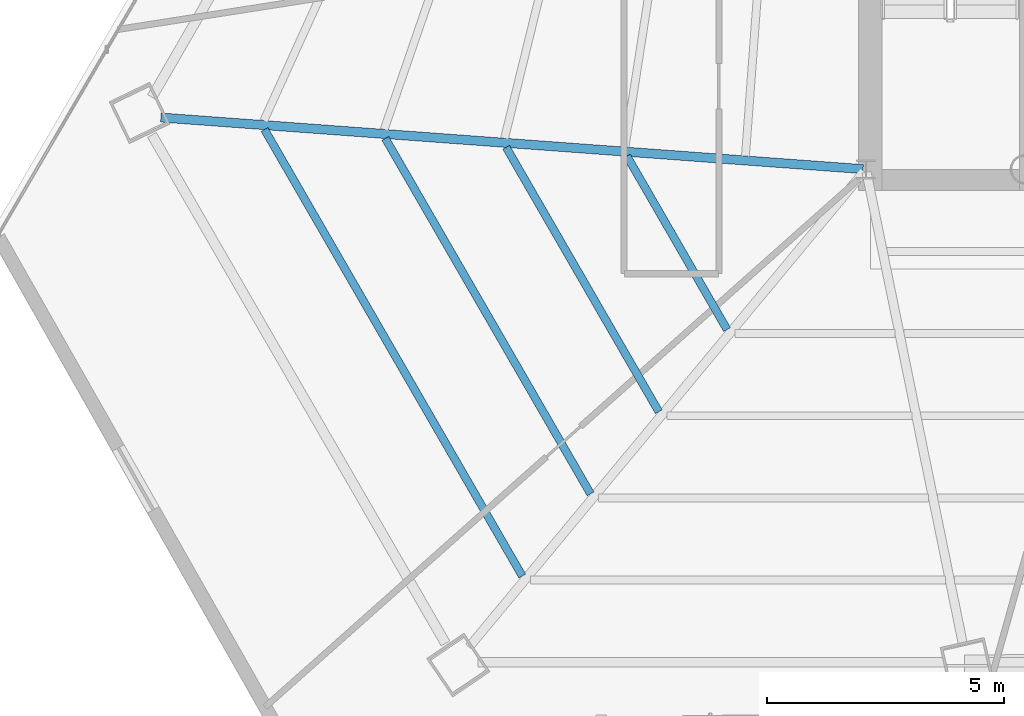
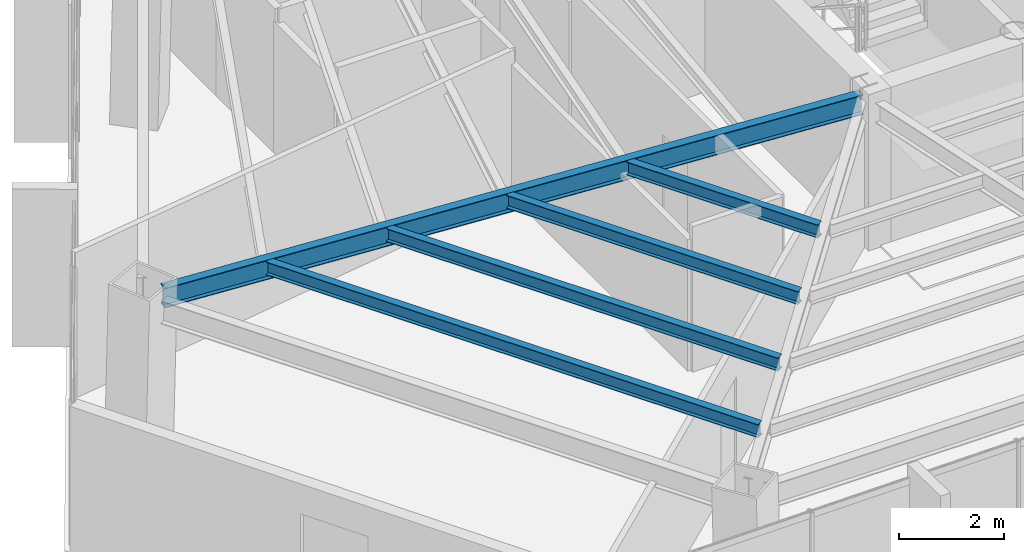
# One storey, part 7 of 41: 5 beams.
"""IFC4 building model written with IfcOpenShell, lengths in metres."""

from ifc_helpers import new_model, si_unit, direction, frame, origin, origin_2d, place, context, subcontext, project, spatial, i_section, extrude, source, transform, mapped, material, material_profile, profile_set, type_object, type_shapes, element, save


model = new_model("IFC4")

# Units and contexts
model_context = context("Model", 3, precision=1e-05, world=origin(), true_north=direction((0.0, 1.0)))
body_context = subcontext(model_context, "Body", "Model", "MODEL_VIEW")
ifc_project = project(units=[si_unit("LENGTHUNIT", "METRE"), si_unit("AREAUNIT", "SQUARE_METRE"), si_unit("VOLUMEUNIT", "CUBIC_METRE"), si_unit("PLANEANGLEUNIT", "RADIAN"), si_unit("MASSUNIT", "GRAM", prefix="KILO")], contexts=[model_context])

# Site, building, storey
site_placement = place(None, origin())
site = spatial("IfcSite", under=ifc_project, at=site_placement, CompositionType="ELEMENT")
building_placement = place(site_placement, origin())
building = spatial("IfcBuilding", under=site, at=building_placement, Name="Caelisora Broadcast Tower", CompositionType="ELEMENT")
storey_placement = place(building_placement, frame((0.0, 0.0, 135.449951171875)))
storey = spatial("IfcBuildingStorey", under=building, at=storey_placement, Name="L35", CompositionType="ELEMENT", Elevation=135.449951171875)

# Beams
ifc_material = material(Name="Steel Grade 350 (AS/NZS 3679.1)", Category="steel")
ifc_material_profile_1 = material_profile(ifc_material, i_section(OverallWidth=0.19091796875, OverallDepth=0.46044921875, WebThickness=0.010009765625, FlangeThickness=0.01611328125, at=origin_2d()), Name="Steel Grade 350 (AS/NZS 3679.1)")
ifc_profile_set_1 = profile_set([ifc_material_profile_1], Name="Steel Grade 350 (AS/NZS 3679.1)")
beam_type_1 = type_object("IfcBeamType", Name="PG06", PredefinedType="BEAM", material=ifc_profile_set_1)
shared_shape_1 = source(origin(), body_context, "Body", "SweptSolid", [
    extrude(i_section(OverallWidth=0.19091796875, OverallDepth=0.46044921875, WebThickness=0.010009765625, FlangeThickness=0.01611328125, at=origin_2d()), origin(), (0.0, 0.0, 1.0), 14.843505859375),
])
type_shapes(beam_type_1, [shared_shape_1])
beam_1_placement = place(storey_placement, frame((30.440185546875, 17.404296875, 3.169921875), z_axis=(-0.997309376272, 0.073307625794, 0.0), x_axis=(-0.073307625794, -0.997309376272, 0.0)))
element("IfcBeam", 1, at=beam_1_placement, inside=storey, type_object=beam_type_1, Name="L35 beam PG06", PredefinedType="BEAM", context=body_context, shape_type="MappedRepresentation", body=[
    mapped(shared_shape_1, transform((0.0, 0.0, 0.0), scale=1.0)),
])
ifc_material_profile_2 = material_profile(ifc_material, i_section(OverallWidth=0.166015625, OverallDepth=0.30712890625, WebThickness=0.006591796875, FlangeThickness=0.01171875, at=origin_2d()), Name="Steel Grade 350 (AS/NZS 3679.1)")
ifc_profile_set_2 = profile_set([ifc_material_profile_2], Name="Steel Grade 350 (AS/NZS 3679.1)")
beam_type_2 = type_object("IfcBeamType", Name="SB03", PredefinedType="JOIST", material=ifc_profile_set_2)
shared_shape_2 = source(origin(), body_context, "Body", "SweptSolid", [
    extrude(i_section(OverallWidth=0.166015625, OverallDepth=0.30712890625, WebThickness=0.006591796875, FlangeThickness=0.01171875, at=origin_2d()), origin(), (0.0, 0.0, 1.0), 4.220703125),
])
beam_2_placement = place(storey_placement, frame((25.462158203125, 17.677001953125, 3.246337890625), z_axis=(0.499996172356, -0.866027613664, 0.0), x_axis=(0.866027613664, 0.499996172356, 0.0)))
element("IfcBeam", 2, at=beam_2_placement, inside=storey, type_object=beam_type_2, Name="L35 beam SB03", PredefinedType="JOIST", context=body_context, shape_type="MappedRepresentation", body=[
    mapped(shared_shape_2, transform((0.0, 0.0, 0.0), scale=1.0)),
])
shared_shape_3 = source(origin(), body_context, "Body", "SweptSolid", [
    extrude(i_section(OverallWidth=0.166015625, OverallDepth=0.30712890625, WebThickness=0.006591796875, FlangeThickness=0.01171875, at=origin_2d()), origin(), (0.0, 0.0, 1.0), 6.436767578125),
])
beam_3_placement = place(storey_placement, frame((22.915283203125, 17.8642578125, 3.246337890625), z_axis=(0.499981830989, -0.866035893414, 0.0), x_axis=(0.866035893414, 0.499981830989, 0.0)))
element("IfcBeam", 3, at=beam_3_placement, inside=storey, type_object=beam_type_2, Name="L35 beam SB03", PredefinedType="JOIST", context=body_context, shape_type="MappedRepresentation", body=[
    mapped(shared_shape_3, transform((0.0, 0.0, 0.0), scale=1.0)),
])
shared_shape_4 = source(origin(), body_context, "Body", "SweptSolid", [
    extrude(i_section(OverallWidth=0.166015625, OverallDepth=0.30712890625, WebThickness=0.006591796875, FlangeThickness=0.01171875, at=origin_2d()), origin(), (0.0, 0.0, 1.0), 8.65283203125),
])
beam_4_placement = place(storey_placement, frame((20.3681640625, 18.051513671875, 3.246337890625), z_axis=(0.499995997096, -0.86602771485, 0.0), x_axis=(0.86602771485, 0.499995997096, 0.0)))
element("IfcBeam", 4, at=beam_4_placement, inside=storey, type_object=beam_type_2, Name="L35 beam SB03", PredefinedType="JOIST", context=body_context, shape_type="MappedRepresentation", body=[
    mapped(shared_shape_4, transform((0.0, 0.0, 0.0), scale=1.0)),
])
shared_shape_5 = source(origin(), body_context, "Body", "SweptSolid", [
    extrude(i_section(OverallWidth=0.166015625, OverallDepth=0.30712890625, WebThickness=0.006591796875, FlangeThickness=0.01171875, at=origin_2d()), origin(), (0.0, 0.0, 1.0), 10.86865234375),
])
type_shapes(beam_type_2, [shared_shape_2, shared_shape_3, shared_shape_4, shared_shape_5])
beam_5_placement = place(storey_placement, frame((17.8212890625, 18.238525390625, 3.246337890625), z_axis=(0.49999726609, -0.866026982202, 0.0), x_axis=(0.866026982202, 0.49999726609, 0.0)))
element("IfcBeam", 5, at=beam_5_placement, inside=storey, type_object=beam_type_2, Name="L35 beam SB03", PredefinedType="JOIST", context=body_context, shape_type="MappedRepresentation", body=[
    mapped(shared_shape_5, transform((0.0, 0.0, 0.0), scale=1.0)),
])

save(model, "model.ifc")
